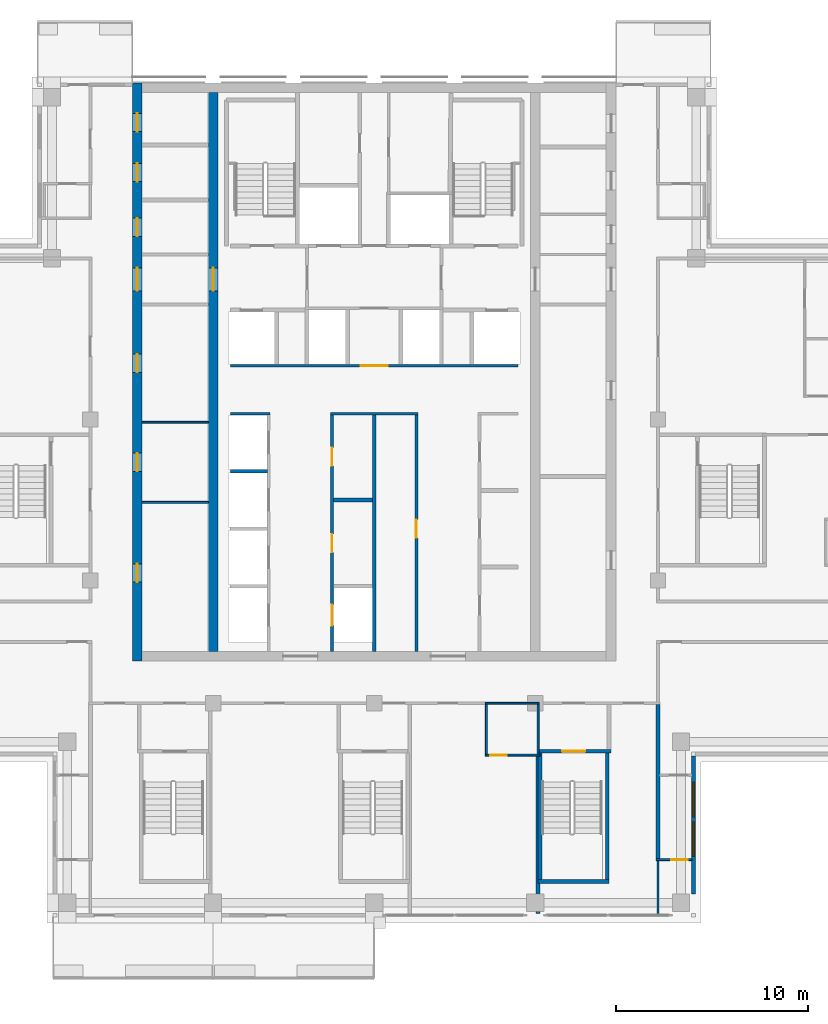
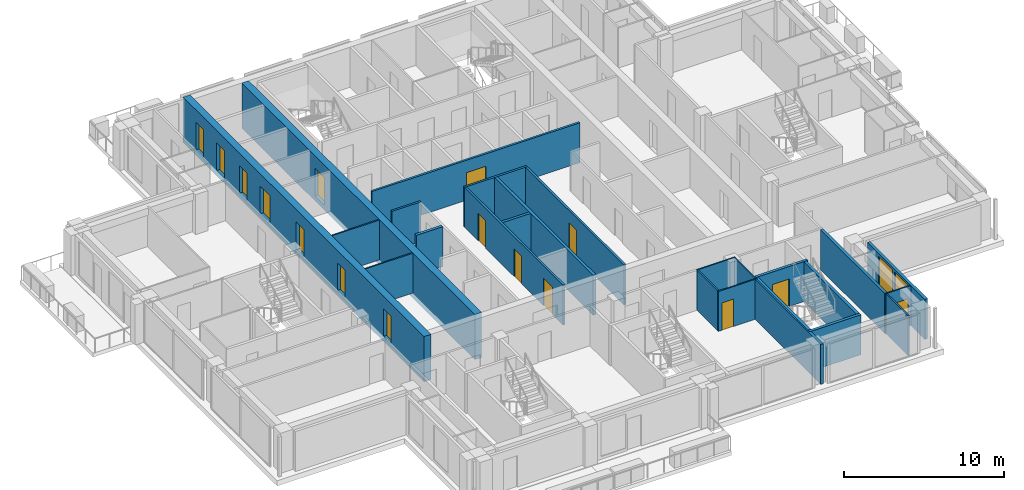
# One storey, part 8 of 15: 25 walls, 16 doors, 2 windows, 18 openings.
"""IFC4 building model written with IfcOpenShell, lengths in metres."""

from ifc_helpers import new_model, si_unit, direction, frame, frame_2d, origin, place, context, subcontext, project, spatial, rectangle, extrude, material, layer, layer_set, type_object, element, fill, save


model = new_model("IFC4")

# Units and contexts
model_context = context("Model", 3, precision=1e-05, world=origin(), true_north=direction((0.0, 1.0)))
body_context = subcontext(model_context, "Body", "Model", "MODEL_VIEW")
ifc_project = project(units=[si_unit("LENGTHUNIT", "METRE"), si_unit("AREAUNIT", "SQUARE_METRE"), si_unit("VOLUMEUNIT", "CUBIC_METRE"), si_unit("PLANEANGLEUNIT", "RADIAN"), si_unit("MASSUNIT", "GRAM", prefix="KILO")], contexts=[model_context])

# Site, building, storey
site_placement = place(None, origin())
site = spatial("IfcSite", under=ifc_project, at=site_placement, CompositionType="ELEMENT")
building_placement = place(site_placement, origin())
building = spatial("IfcBuilding", under=site, at=building_placement, Name="Vermilion Ogive Tower", CompositionType="ELEMENT")
storey_placement = place(building_placement, frame((0.0, 0.0, 237.25)))
storey = spatial("IfcBuildingStorey", under=building, at=storey_placement, Name="L62", CompositionType="ELEMENT", Elevation=237.25)

# Wall, openings, doors
ifc_material_1 = material(Name="Concrete B60", Category="concrete")
ifc_layer_1 = layer(ifc_material_1, 0.5)
ifc_layer_set_1 = layer_set([ifc_layer_1], Name="Core wall 500 B60")
wall_type_1 = type_object("IfcWallType", Name="Core wall 500 B60", PredefinedType="SHEAR", material=ifc_layer_set_1)
wall_1_placement = place(storey_placement, frame((-12.35009765625, -8.39990234375, -0.39990234375), z_axis=(0.0, 0.0, 1.0), x_axis=(0.0, 1.0, 0.0)))
wall_1 = element("IfcWall", 1, at=wall_1_placement, inside=storey, type_object=wall_type_1, Name="L62-CORE-W", PredefinedType="SHEAR", context=body_context, shape_type="SweptSolid", body=[
    extrude(rectangle(XDim=30.14990234375, YDim=0.5, at=frame_2d((15.074951171875, 0.0))), origin(), (0.0, 0.0, 1.0), 3.449951171875),
])
opening_1_placement = place(wall_1_placement, frame((4.112548828125, 0.0, 0.39990234375)))
opening_1 = element("IfcOpeningElement", 2, at=opening_1_placement, cuts=wall_1, Name="Opening DAD105", PredefinedType="OPENING", context=body_context, shape_type="SweptSolid", body=[
    extrude(rectangle(XDim=0.949951171875, YDim=2.10009765625, at=frame_2d((0.47509765625, 1.050048828125))), frame((0.0, 0.260009765625, 0.0), z_axis=(0.0, -1.0, 0.0), x_axis=(1.0, 0.0, 0.0)), (0.0, 0.0, 1.0), 0.52001953125),
])
opening_2_placement = place(wall_1_placement, frame((9.8896484375, 0.0, 0.39990234375)))
opening_2 = element("IfcOpeningElement", 3, at=opening_2_placement, cuts=wall_1, Name="Opening DAD106", PredefinedType="OPENING", context=body_context, shape_type="SweptSolid", body=[
    extrude(rectangle(XDim=0.949951171875, YDim=2.10009765625, at=frame_2d((0.47509765625, 1.050048828125))), frame((0.0, 0.260009765625, 0.0), z_axis=(0.0, -1.0, 0.0), x_axis=(1.0, 0.0, 0.0)), (0.0, 0.0, 1.0), 0.52001953125),
])
opening_3_placement = place(wall_1_placement, frame((15.052001953125, 0.0, 0.39990234375)))
opening_3 = element("IfcOpeningElement", 4, at=opening_3_placement, cuts=wall_1, Name="Opening DAD107", PredefinedType="OPENING", context=body_context, shape_type="SweptSolid", body=[
    extrude(rectangle(XDim=0.949951171875, YDim=2.10009765625, at=frame_2d((0.47509765625, 1.050048828125))), frame((0.0, 0.260009765625, 0.0), z_axis=(0.0, -1.0, 0.0), x_axis=(1.0, 0.0, 0.0)), (0.0, 0.0, 1.0), 0.52001953125),
])
opening_4_placement = place(wall_1_placement, frame((22.1435546875, 0.0, 0.39990234375)))
opening_4 = element("IfcOpeningElement", 5, at=opening_4_placement, cuts=wall_1, Name="Opening DAD108", PredefinedType="OPENING", context=body_context, shape_type="SweptSolid", body=[
    extrude(rectangle(XDim=0.949951171875, YDim=2.10009765625, at=frame_2d((0.47509765625, 1.050048828125))), frame((0.0, 0.260009765625, 0.0), z_axis=(0.0, -1.0, 0.0), x_axis=(1.0, 0.0, 0.0)), (0.0, 0.0, 1.0), 0.52001953125),
])
opening_5_placement = place(wall_1_placement, frame((24.998291015625, 0.0, 0.39990234375)))
opening_5 = element("IfcOpeningElement", 6, at=opening_5_placement, cuts=wall_1, Name="Opening DAD109", PredefinedType="OPENING", context=body_context, shape_type="SweptSolid", body=[
    extrude(rectangle(XDim=0.949951171875, YDim=2.10009765625, at=frame_2d((0.47509765625, 1.050048828125))), frame((0.0, 0.260009765625, 0.0), z_axis=(0.0, -1.0, 0.0), x_axis=(1.0, 0.0, 0.0)), (0.0, 0.0, 1.0), 0.52001953125),
])
opening_6_placement = place(wall_1_placement, frame((27.604736328125, 0.0, 0.39990234375)))
opening_6 = element("IfcOpeningElement", 7, at=opening_6_placement, cuts=wall_1, Name="Opening DAD110", PredefinedType="OPENING", context=body_context, shape_type="SweptSolid", body=[
    extrude(rectangle(XDim=0.949951171875, YDim=2.10009765625, at=frame_2d((0.47509765625, 1.050048828125))), frame((0.0, 0.260009765625, 0.0), z_axis=(0.0, -1.0, 0.0), x_axis=(1.0, 0.0, 0.0)), (0.0, 0.0, 1.0), 0.52001953125),
])
opening_7_placement = place(wall_1_placement, frame((19.300048828125, 0.0, 0.39990234375)))
opening_7 = element("IfcOpeningElement", 8, at=opening_7_placement, cuts=wall_1, Name="Opening DAM025", PredefinedType="OPENING", context=body_context, shape_type="SweptSolid", body=[
    extrude(rectangle(XDim=1.199951171875, YDim=2.10009765625, at=frame_2d((0.60009765625, 1.050048828125))), frame((0.0, 0.260009765625, 0.0), z_axis=(0.0, -1.0, 0.0), x_axis=(1.0, 0.0, 0.0)), (0.0, 0.0, 1.0), 0.52001953125),
])
ifc_material_2 = material(Name="Timber door leaf", Category="wood")
door_type_1 = type_object("IfcDoorType", Name="Link door 1200 x 2100 FD60S", OperationType="SINGLE_SWING_LEFT", PredefinedType="DOOR", material=ifc_material_2)
door_1_placement = place(opening_7_placement, origin())
door_1 = element("IfcDoor", 9, at=door_1_placement, inside=storey, type_object=door_type_1, Name="L62-CKW-XL", OperationType="SINGLE_SWING_LEFT", OverallHeight=2.10009765625, OverallWidth=1.199951171875, PredefinedType="DOOR", context=body_context, shape_type="SweptSolid", body=[
    extrude(rectangle(XDim=1.199951171875, YDim=2.10009765625, at=frame_2d((0.60009765625, 1.050048828125))), frame((0.0, 0.02490234375, 0.0), z_axis=(0.0, -1.0, 0.0), x_axis=(1.0, 0.0, 0.0)), (0.0, 0.0, 1.0), 0.050048828125),
])
fill(opening_7, door_1)
ifc_material_3 = material(Name="Timber door leaf", Category="wood")
door_type_2 = type_object("IfcDoorType", Name="Service door 950 x 2100 FD60", OperationType="SINGLE_SWING_LEFT", PredefinedType="DOOR", material=ifc_material_3)
door_2_placement = place(opening_1_placement, origin())
door_2 = element("IfcDoor", 10, at=door_2_placement, inside=storey, type_object=door_type_2, Name="L62-CKW-XR0", OperationType="SINGLE_SWING_LEFT", OverallHeight=2.10009765625, OverallWidth=0.949951171875, PredefinedType="DOOR", context=body_context, shape_type="SweptSolid", body=[
    extrude(rectangle(XDim=0.949951171875, YDim=2.10009765625, at=frame_2d((0.47509765625, 1.050048828125))), frame((0.0, 0.02490234375, 0.0), z_axis=(0.0, -1.0, 0.0), x_axis=(1.0, 0.0, 0.0)), (0.0, 0.0, 1.0), 0.050048828125),
])
fill(opening_1, door_2)
door_3_placement = place(opening_2_placement, origin())
door_3 = element("IfcDoor", 11, at=door_3_placement, inside=storey, type_object=door_type_2, Name="L62-CKW-XR1", OperationType="SINGLE_SWING_LEFT", OverallHeight=2.10009765625, OverallWidth=0.949951171875, PredefinedType="DOOR", context=body_context, shape_type="SweptSolid", body=[
    extrude(rectangle(XDim=0.949951171875, YDim=2.10009765625, at=frame_2d((0.47509765625, 1.050048828125))), frame((0.0, 0.02490234375, 0.0), z_axis=(0.0, -1.0, 0.0), x_axis=(1.0, 0.0, 0.0)), (0.0, 0.0, 1.0), 0.050048828125),
])
fill(opening_2, door_3)
door_4_placement = place(opening_3_placement, origin())
door_4 = element("IfcDoor", 12, at=door_4_placement, inside=storey, type_object=door_type_2, Name="L62-CKW-XR2", OperationType="SINGLE_SWING_LEFT", OverallHeight=2.10009765625, OverallWidth=0.949951171875, PredefinedType="DOOR", context=body_context, shape_type="SweptSolid", body=[
    extrude(rectangle(XDim=0.949951171875, YDim=2.10009765625, at=frame_2d((0.47509765625, 1.050048828125))), frame((0.0, 0.02490234375, 0.0), z_axis=(0.0, -1.0, 0.0), x_axis=(1.0, 0.0, 0.0)), (0.0, 0.0, 1.0), 0.050048828125),
])
fill(opening_3, door_4)
door_5_placement = place(opening_4_placement, origin())
door_5 = element("IfcDoor", 13, at=door_5_placement, inside=storey, type_object=door_type_2, Name="L62-CKW-XR3", OperationType="SINGLE_SWING_LEFT", OverallHeight=2.10009765625, OverallWidth=0.949951171875, PredefinedType="DOOR", context=body_context, shape_type="SweptSolid", body=[
    extrude(rectangle(XDim=0.949951171875, YDim=2.10009765625, at=frame_2d((0.47509765625, 1.050048828125))), frame((0.0, 0.02490234375, 0.0), z_axis=(0.0, -1.0, 0.0), x_axis=(1.0, 0.0, 0.0)), (0.0, 0.0, 1.0), 0.050048828125),
])
fill(opening_4, door_5)
door_6_placement = place(opening_5_placement, origin())
door_6 = element("IfcDoor", 14, at=door_6_placement, inside=storey, type_object=door_type_2, Name="L62-CKW-XR4", OperationType="SINGLE_SWING_LEFT", OverallHeight=2.10009765625, OverallWidth=0.949951171875, PredefinedType="DOOR", context=body_context, shape_type="SweptSolid", body=[
    extrude(rectangle(XDim=0.949951171875, YDim=2.10009765625, at=frame_2d((0.47509765625, 1.050048828125))), frame((0.0, 0.02490234375, 0.0), z_axis=(0.0, -1.0, 0.0), x_axis=(1.0, 0.0, 0.0)), (0.0, 0.0, 1.0), 0.050048828125),
])
fill(opening_5, door_6)
door_7_placement = place(opening_6_placement, origin())
door_7 = element("IfcDoor", 15, at=door_7_placement, inside=storey, type_object=door_type_2, Name="L62-CKW-XR5", OperationType="SINGLE_SWING_LEFT", OverallHeight=2.10009765625, OverallWidth=0.949951171875, PredefinedType="DOOR", context=body_context, shape_type="SweptSolid", body=[
    extrude(rectangle(XDim=0.949951171875, YDim=2.10009765625, at=frame_2d((0.47509765625, 1.050048828125))), frame((0.0, 0.02490234375, 0.0), z_axis=(0.0, -1.0, 0.0), x_axis=(1.0, 0.0, 0.0)), (0.0, 0.0, 1.0), 0.050048828125),
])
fill(opening_6, door_7)

# Wall, opening, door
wall_2_placement = place(storey_placement, frame((-8.39990234375, -7.89990234375, -0.39990234375), z_axis=(0.0, 0.0, 1.0), x_axis=(0.0, 1.0, 0.0)))
wall_2 = element("IfcWall", 16, at=wall_2_placement, inside=storey, type_object=wall_type_1, Name="L62-CORE-WEB1", PredefinedType="SHEAR", context=body_context, shape_type="SweptSolid", body=[
    extrude(rectangle(XDim=29.14990234375, YDim=0.5, at=frame_2d((14.574951171875, 0.0))), origin(), (0.0, 0.0, 1.0), 3.449951171875),
])
opening_8_placement = place(wall_2_placement, frame((18.800048828125, 0.0, 0.39990234375)))
opening_8 = element("IfcOpeningElement", 17, at=opening_8_placement, cuts=wall_2, Name="Opening DAP020", PredefinedType="OPENING", context=body_context, shape_type="SweptSolid", body=[
    extrude(rectangle(XDim=1.199951171875, YDim=2.10009765625, at=frame_2d((0.60009765625, 1.050048828125))), frame((0.0, 0.260009765625, 0.0), z_axis=(0.0, -1.0, 0.0), x_axis=(1.0, 0.0, 0.0)), (0.0, 0.0, 1.0), 0.52001953125),
])
door_8_placement = place(opening_8_placement, origin())
door_8 = element("IfcDoor", 18, at=door_8_placement, inside=storey, type_object=door_type_1, Name="L62-CKW-XW", OperationType="SINGLE_SWING_LEFT", OverallHeight=2.10009765625, OverallWidth=1.199951171875, PredefinedType="DOOR", context=body_context, shape_type="SweptSolid", body=[
    extrude(rectangle(XDim=1.199951171875, YDim=2.10009765625, at=frame_2d((0.60009765625, 1.050048828125))), frame((0.0, 0.02490234375, 0.0), z_axis=(0.0, -1.0, 0.0), x_axis=(1.0, 0.0, 0.0)), (0.0, 0.0, 1.0), 0.050048828125),
])
fill(opening_8, door_8)

ifc_material_4 = material(Name="Gypsum board partition on steel studs", Category="steel")
ifc_layer_2 = layer(ifc_material_4, 0.10009765625)
ifc_layer_set_2 = layer_set([ifc_layer_2], Name="Partition 100 bath")
wall_type_2 = type_object("IfcWallType", Name="Partition 100 bath", PredefinedType="PARTITIONING", material=ifc_layer_set_2)
wall_3_placement = place(storey_placement, frame((14.699951171875, -18.75, 0.0), z_axis=(0.0, 0.0, 1.0), x_axis=(1.0, 0.0, 0.0)))
wall_3 = element("IfcWall", 19, at=wall_3_placement, inside=storey, type_object=wall_type_2, Name="L62-W-W005", PredefinedType="PARTITIONING", context=body_context, shape_type="SweptSolid", body=[
    extrude(rectangle(XDim=1.85009765625, YDim=0.10009765625, at=frame_2d((0.925048828125, 0.0))), origin(), (0.0, 0.0, 1.0), 3.050048828125),
])
opening_9_placement = place(wall_3_placement, frame((0.800048828125, 0.0, 0.0)))
opening_9 = element("IfcOpeningElement", 20, at=opening_9_placement, cuts=wall_3, Name="Opening D5G2015", PredefinedType="OPENING", context=body_context, shape_type="SweptSolid", body=[
    extrude(rectangle(XDim=0.85009765625, YDim=2.10009765625, at=frame_2d((0.425048828125, 1.050048828125))), frame((0.0, 0.06005859375, 0.0), z_axis=(0.0, -1.0, 0.0), x_axis=(1.0, 0.0, 0.0)), (0.0, 0.0, 1.0), 0.1201171875),
])
ifc_material_5 = material(Name="Timber door leaf", Category="wood")
door_type_3 = type_object("IfcDoorType", Name="Bath door 850 x 2100 FD30", OperationType="SINGLE_SWING_LEFT", PredefinedType="DOOR", material=ifc_material_5)
door_9_placement = place(opening_9_placement, origin())
door_9 = element("IfcDoor", 21, at=door_9_placement, inside=storey, type_object=door_type_3, Name="L62-D-D015", OperationType="SINGLE_SWING_RIGHT", OverallHeight=2.10009765625, OverallWidth=0.85009765625, PredefinedType="DOOR", context=body_context, shape_type="SweptSolid", body=[
    extrude(rectangle(XDim=0.85009765625, YDim=2.10009765625, at=frame_2d((0.425048828125, 1.050048828125))), frame((0.0, 0.02490234375, 0.0), z_axis=(0.0, -1.0, 0.0), x_axis=(1.0, 0.0, 0.0)), (0.0, 0.0, 1.0), 0.050048828125),
])
fill(opening_9, door_9)

wall_4_placement = place(storey_placement, frame((5.800048828125, -13.300048828125, 0.0), z_axis=(0.0, 0.0, 1.0), x_axis=(1.0, 0.0, 0.0)))
wall_4 = element("IfcWall", 22, at=wall_4_placement, inside=storey, type_object=wall_type_2, Name="L62-W-W008", PredefinedType="PARTITIONING", context=body_context, shape_type="SweptSolid", body=[
    extrude(rectangle(XDim=2.849853515625, YDim=0.10009765625, at=frame_2d((1.4248046875, 0.0))), origin(), (0.0, 0.0, 1.0), 3.050048828125),
])
opening_10_placement = place(wall_4_placement, frame((0.25, 0.0, 0.0)))
opening_10 = element("IfcOpeningElement", 23, at=opening_10_placement, cuts=wall_4, Name="Opening D5G2012", PredefinedType="OPENING", context=body_context, shape_type="SweptSolid", body=[
    extrude(rectangle(XDim=0.85009765625, YDim=2.10009765625, at=frame_2d((0.425048828125, 1.050048828125))), frame((0.0, 0.06005859375, 0.0), z_axis=(0.0, -1.0, 0.0), x_axis=(1.0, 0.0, 0.0)), (0.0, 0.0, 1.0), 0.1201171875),
])
door_10_placement = place(opening_10_placement, origin())
door_10 = element("IfcDoor", 24, at=door_10_placement, inside=storey, type_object=door_type_3, Name="L62-D-D012", OperationType="SINGLE_SWING_LEFT", OverallHeight=2.10009765625, OverallWidth=0.85009765625, PredefinedType="DOOR", context=body_context, shape_type="SweptSolid", body=[
    extrude(rectangle(XDim=0.85009765625, YDim=2.10009765625, at=frame_2d((0.425048828125, 1.050048828125))), frame((0.0, 0.02490234375, 0.0), z_axis=(0.0, -1.0, 0.0), x_axis=(1.0, 0.0, 0.0)), (0.0, 0.0, 1.0), 0.050048828125),
])
fill(opening_10, door_10)

# Walls
wall_5_placement = place(storey_placement, frame((5.800048828125, -10.60009765625, 0.0), z_axis=(0.0, 0.0, 1.0), x_axis=(1.0, 0.0, 0.0)))
element("IfcWall", 25, at=wall_5_placement, inside=storey, type_object=wall_type_2, Name="L62-W-W013", PredefinedType="PARTITIONING", context=body_context, shape_type="SweptSolid", body=[
    extrude(rectangle(XDim=2.800048828125, YDim=0.10009765625, at=frame_2d((1.39990234375, 0.0))), origin(), (0.0, 0.0, 1.0), 3.050048828125),
])
for number, where, z_axis, x_axis, name in (
    (26, (5.85009765625, -13.25, 0.0), (0.0, 0.0, 1.0), (0.0, 1.0, 0.0), "L62-W-W060"),
    (27, (8.550048828125, -13.25, 0.0), (0.0, 0.0, 1.0), (0.0, 1.0, 0.0), "L62-W-W062"),
):
    element("IfcWall", number, at=place(storey_placement, frame(where, z_axis=z_axis, x_axis=x_axis)), inside=storey, type_object=wall_type_2, Name=name, PredefinedType="PARTITIONING", context=body_context, shape_type="SweptSolid", body=[
        extrude(rectangle(XDim=2.574951171875, YDim=0.10009765625, at=frame_2d((1.28759765625, 0.0))), origin(), (0.0, 0.0, 1.0), 3.050048828125),
    ])
wall_6_placement = place(storey_placement, frame((14.800048828125, -21.550048828125, 0.0), z_axis=(0.0, 0.0, 1.0), x_axis=(0.0, 1.0, 0.0)))
element("IfcWall", 28, at=wall_6_placement, inside=storey, type_object=wall_type_2, Name="L62-W-W066", PredefinedType="PARTITIONING", context=body_context, shape_type="SweptSolid", body=[
    extrude(rectangle(XDim=2.75, YDim=0.10009765625, at=frame_2d((1.375, 0.0))), origin(), (0.0, 0.0, 1.0), 3.050048828125),
])
for number, where, z_axis, x_axis, name in (
    (29, (-12.09912109375, -0.125, 0.0), (0.0, 0.0, 1.0), (1.0, 0.0, 0.0), "L62-CKW-W-W001"),
    (30, (-12.09912109375, 4.053955078125, 0.0), (0.0, 0.0, 1.0), (1.0, 0.0, 0.0), "L62-CKW-W-W002"),
):
    element("IfcWall", number, at=place(storey_placement, frame(where, z_axis=z_axis, x_axis=x_axis)), inside=storey, type_object=wall_type_2, Name=name, PredefinedType="PARTITIONING", context=body_context, shape_type="SweptSolid", body=[
        extrude(rectangle(XDim=3.4482421875, YDim=0.10009765625, at=frame_2d((1.72412109375, 0.0))), origin(), (0.0, 0.0, 1.0), 3.050048828125),
    ])
ifc_material_6 = material(Name="Gypsum board partition on steel studs", Category="steel")
ifc_layer_3 = layer(ifc_material_6, 0.14990234375)
ifc_layer_set_3 = layer_set([ifc_layer_3], Name="Partition 150 corridor")
wall_type_3 = type_object("IfcWallType", Name="Partition 150 corridor", PredefinedType="PARTITIONING", material=ifc_layer_set_3)
wall_7_placement = place(storey_placement, frame((-7.5, 4.5, 0.0), z_axis=(0.0, 0.0, 1.0), x_axis=(1.0, 0.0, 0.0)))
element("IfcWall", 31, at=wall_7_placement, inside=storey, type_object=wall_type_3, Name="L62-CK-W-W008", PredefinedType="PARTITIONING", context=body_context, shape_type="SweptSolid", body=[
    extrude(rectangle(XDim=2.074951171875, YDim=0.14990234375, at=frame_2d((1.03759765625, 0.0))), origin(), (0.0, 0.0, 1.0), 3.050048828125),
])
wall_8_placement = place(storey_placement, frame((-2.27490234375, 4.5, 0.0), z_axis=(0.0, 0.0, 1.0), x_axis=(1.0, 0.0, 0.0)))
element("IfcWall", 32, at=wall_8_placement, inside=storey, type_object=wall_type_3, Name="L62-CK-W-W009", PredefinedType="PARTITIONING", context=body_context, shape_type="SweptSolid", body=[
    extrude(rectangle(XDim=4.5498046875, YDim=0.14990234375, at=frame_2d((2.27490234375, 0.0))), origin(), (0.0, 0.0, 1.0), 3.050048828125),
])

# Wall, opening, door
wall_9_placement = place(storey_placement, frame((-7.5, 7.0, 0.0), z_axis=(0.0, 0.0, 1.0), x_axis=(1.0, 0.0, 0.0)))
wall_9 = element("IfcWall", 33, at=wall_9_placement, inside=storey, type_object=wall_type_3, Name="L62-CK-W-W011", PredefinedType="PARTITIONING", context=body_context, shape_type="SweptSolid", body=[
    extrude(rectangle(XDim=15.0, YDim=0.14990234375, at=frame_2d((7.5, 0.0))), origin(), (0.0, 0.0, 1.0), 3.050048828125),
])
opening_11_placement = place(wall_9_placement, frame((6.800048828125, 0.0, 0.0)))
opening_11 = element("IfcOpeningElement", 34, at=opening_11_placement, cuts=wall_9, Name="Opening DAA563", PredefinedType="OPENING", context=body_context, shape_type="SweptSolid", body=[
    extrude(rectangle(XDim=1.39990234375, YDim=2.10009765625, at=frame_2d((0.699951171875, 1.050048828125))), frame((0.0, 0.0849609375, 0.0), z_axis=(0.0, -1.0, 0.0), x_axis=(1.0, 0.0, 0.0)), (0.0, 0.0, 1.0), 0.169921875),
])
ifc_material_7 = material(Name="Timber door leaf", Category="wood")
door_type_4 = type_object("IfcDoorType", Name="Lobby door 1400 x 2100 FD60S", OperationType="SINGLE_SWING_LEFT", PredefinedType="DOOR", material=ifc_material_7)
door_11_placement = place(opening_11_placement, origin())
door_11 = element("IfcDoor", 35, at=door_11_placement, inside=storey, type_object=door_type_4, Name="L62-CK-D-D016", OperationType="SINGLE_SWING_RIGHT", OverallHeight=2.10009765625, OverallWidth=1.39990234375, PredefinedType="DOOR", context=body_context, shape_type="SweptSolid", body=[
    extrude(rectangle(XDim=1.39990234375, YDim=2.10009765625, at=frame_2d((0.699951171875, 1.050048828125))), frame((0.0, 0.02490234375, 0.0), z_axis=(0.0, -1.0, 0.0), x_axis=(1.0, 0.0, 0.0)), (0.0, 0.0, 1.0), 0.050048828125),
])
fill(opening_11, door_11)

# Wall, openings, doors
wall_10_placement = place(storey_placement, frame((-2.199951171875, -7.89892578125, 0.0), z_axis=(0.0, 0.0, 1.0), x_axis=(0.0, 1.0, 0.0)))
wall_10 = element("IfcWall", 36, at=wall_10_placement, inside=storey, type_object=wall_type_3, Name="L62-CK-W-W025", PredefinedType="PARTITIONING", context=body_context, shape_type="SweptSolid", body=[
    extrude(rectangle(XDim=12.323974609375, YDim=0.14990234375, at=frame_2d((6.162109375, 0.0))), origin(), (0.0, 0.0, 1.0), 3.050048828125),
])
opening_12_placement = place(wall_10_placement, frame((1.348876953125, 0.0, 0.0)))
opening_12 = element("IfcOpeningElement", 37, at=opening_12_placement, cuts=wall_10, Name="Opening DAA580", PredefinedType="OPENING", context=body_context, shape_type="SweptSolid", body=[
    extrude(rectangle(XDim=1.10009765625, YDim=2.10009765625, at=frame_2d((0.550048828125, 1.050048828125))), frame((0.0, 0.0849609375, 0.0), z_axis=(0.0, -1.0, 0.0), x_axis=(1.0, 0.0, 0.0)), (0.0, 0.0, 1.0), 0.169921875),
])
opening_13_placement = place(wall_10_placement, frame((5.173828125, 0.0, 0.0)))
opening_13 = element("IfcOpeningElement", 38, at=opening_13_placement, cuts=wall_10, Name="Opening DAA566", PredefinedType="OPENING", context=body_context, shape_type="SweptSolid", body=[
    extrude(rectangle(XDim=0.949951171875, YDim=2.10009765625, at=frame_2d((0.47509765625, 1.050048828125))), frame((0.0, 0.0849609375, 0.0), z_axis=(0.0, -1.0, 0.0), x_axis=(1.0, 0.0, 0.0)), (0.0, 0.0, 1.0), 0.169921875),
])
opening_14_placement = place(wall_10_placement, frame((9.673828125, 0.0, 0.0)))
opening_14 = element("IfcOpeningElement", 39, at=opening_14_placement, cuts=wall_10, Name="Opening DAA567", PredefinedType="OPENING", context=body_context, shape_type="SweptSolid", body=[
    extrude(rectangle(XDim=0.949951171875, YDim=2.10009765625, at=frame_2d((0.47509765625, 1.050048828125))), frame((0.0, 0.0849609375, 0.0), z_axis=(0.0, -1.0, 0.0), x_axis=(1.0, 0.0, 0.0)), (0.0, 0.0, 1.0), 0.169921875),
])
ifc_material_8 = material(Name="Stainless steel", Category="steel")
door_type_5 = type_object("IfcDoorType", Name="Lift landing door 1100 x 2100", OperationType="SLIDING_TO_LEFT", PredefinedType="DOOR", material=ifc_material_8)
door_12_placement = place(opening_12_placement, origin())
door_12 = element("IfcDoor", 40, at=door_12_placement, inside=storey, type_object=door_type_5, Name="L62-CK-D-D005", OperationType="SLIDING_TO_LEFT", OverallHeight=2.10009765625, OverallWidth=1.10009765625, PredefinedType="DOOR", context=body_context, shape_type="SweptSolid", body=[
    extrude(rectangle(XDim=1.10009765625, YDim=2.10009765625, at=frame_2d((0.550048828125, 1.050048828125))), frame((0.0, 0.02490234375, 0.0), z_axis=(0.0, -1.0, 0.0), x_axis=(1.0, 0.0, 0.0)), (0.0, 0.0, 1.0), 0.050048828125),
])
fill(opening_12, door_12)
door_13_placement = place(opening_13_placement, origin())
door_13 = element("IfcDoor", 41, at=door_13_placement, inside=storey, type_object=door_type_2, Name="L62-CK-D-D006", OperationType="SINGLE_SWING_LEFT", OverallHeight=2.10009765625, OverallWidth=0.949951171875, PredefinedType="DOOR", context=body_context, shape_type="SweptSolid", body=[
    extrude(rectangle(XDim=0.949951171875, YDim=2.10009765625, at=frame_2d((0.47509765625, 1.050048828125))), frame((0.0, 0.02490234375, 0.0), z_axis=(0.0, -1.0, 0.0), x_axis=(1.0, 0.0, 0.0)), (0.0, 0.0, 1.0), 0.050048828125),
])
fill(opening_13, door_13)
door_14_placement = place(opening_14_placement, origin())
door_14 = element("IfcDoor", 42, at=door_14_placement, inside=storey, type_object=door_type_2, Name="L62-CK-D-D007", OperationType="SINGLE_SWING_RIGHT", OverallHeight=2.10009765625, OverallWidth=0.949951171875, PredefinedType="DOOR", context=body_context, shape_type="SweptSolid", body=[
    extrude(rectangle(XDim=0.949951171875, YDim=2.10009765625, at=frame_2d((0.47509765625, 1.050048828125))), frame((0.0, 0.02490234375, 0.0), z_axis=(0.0, -1.0, 0.0), x_axis=(1.0, 0.0, 0.0)), (0.0, 0.0, 1.0), 0.050048828125),
])
fill(opening_14, door_14)

# Wall, opening, door
wall_11_placement = place(storey_placement, frame((2.199951171875, -7.89892578125, 0.0), z_axis=(0.0, 0.0, 1.0), x_axis=(0.0, 1.0, 0.0)))
wall_11 = element("IfcWall", 43, at=wall_11_placement, inside=storey, type_object=wall_type_3, Name="L62-CK-W-W032", PredefinedType="PARTITIONING", context=body_context, shape_type="SweptSolid", body=[
    extrude(rectangle(XDim=12.323974609375, YDim=0.14990234375, at=frame_2d((6.162109375, 0.0))), origin(), (0.0, 0.0, 1.0), 3.050048828125),
])
opening_15_placement = place(wall_11_placement, frame((5.923828125, 0.0, 0.0)))
opening_15 = element("IfcOpeningElement", 44, at=opening_15_placement, cuts=wall_11, Name="Opening DAA568", PredefinedType="OPENING", context=body_context, shape_type="SweptSolid", body=[
    extrude(rectangle(XDim=0.949951171875, YDim=2.10009765625, at=frame_2d((0.47509765625, 1.050048828125))), frame((0.0, 0.0849609375, 0.0), z_axis=(0.0, -1.0, 0.0), x_axis=(1.0, 0.0, 0.0)), (0.0, 0.0, 1.0), 0.169921875),
])
door_15_placement = place(opening_15_placement, origin())
door_15 = element("IfcDoor", 45, at=door_15_placement, inside=storey, type_object=door_type_2, Name="L62-CK-D-D008", OperationType="SINGLE_SWING_RIGHT", OverallHeight=2.10009765625, OverallWidth=0.949951171875, PredefinedType="DOOR", context=body_context, shape_type="SweptSolid", body=[
    extrude(rectangle(XDim=0.949951171875, YDim=2.10009765625, at=frame_2d((0.47509765625, 1.050048828125))), frame((0.0, 0.02490234375, 0.0), z_axis=(0.0, -1.0, 0.0), x_axis=(1.0, 0.0, 0.0)), (0.0, 0.0, 1.0), 0.050048828125),
])
fill(opening_15, door_15)

# Walls
ifc_material_9 = material(Name="Gypsum board partition on steel studs", Category="steel")
ifc_layer_4 = layer(ifc_material_9, 0.199951171875)
ifc_layer_set_4 = layer_set([ifc_layer_4], Name="Partition 200 party")
wall_type_4 = type_object("IfcWallType", Name="Partition 200 party", PredefinedType="PARTITIONING", material=ifc_layer_set_4)
wall_12_placement = place(storey_placement, frame((14.800048828125, -18.699951171875, 0.0), z_axis=(0.0, 0.0, 1.0), x_axis=(0.0, 1.0, 0.0)))
element("IfcWall", 46, at=wall_12_placement, inside=storey, type_object=wall_type_4, Name="L62-W-W067", PredefinedType="PARTITIONING", context=body_context, shape_type="SweptSolid", body=[
    extrude(rectangle(XDim=8.02490234375, YDim=0.199951171875, at=frame_2d((4.012451171875, 0.0))), origin(), (0.0, 0.0, 1.0), 3.050048828125),
])
wall_13_placement = place(storey_placement, frame((-2.125, 0.0, 0.0), z_axis=(0.0, 0.0, 1.0), x_axis=(1.0, 0.0, 0.0)))
element("IfcWall", 47, at=wall_13_placement, inside=storey, type_object=wall_type_4, Name="L62-CK-W-W005", PredefinedType="PARTITIONING", context=body_context, shape_type="SweptSolid", body=[
    extrude(rectangle(XDim=2.02490234375, YDim=0.199951171875, at=frame_2d((1.012451171875, 0.0))), origin(), (0.0, 0.0, 1.0), 3.050048828125),
])
wall_14_placement = place(storey_placement, frame((-7.5, 1.5, 0.0), z_axis=(0.0, 0.0, 1.0), x_axis=(1.0, 0.0, 0.0)))
element("IfcWall", 48, at=wall_14_placement, inside=storey, type_object=wall_type_4, Name="L62-CK-W-W007", PredefinedType="PARTITIONING", context=body_context, shape_type="SweptSolid", body=[
    extrude(rectangle(XDim=1.925048828125, YDim=0.199951171875, at=frame_2d((0.96240234375, 0.0))), origin(), (0.0, 0.0, 1.0), 3.050048828125),
])
wall_15_placement = place(storey_placement, frame((0.0, -7.89892578125, 0.0), z_axis=(0.0, 0.0, 1.0), x_axis=(0.0, 1.0, 0.0)))
element("IfcWall", 49, at=wall_15_placement, inside=storey, type_object=wall_type_4, Name="L62-CK-W-W028", PredefinedType="PARTITIONING", context=body_context, shape_type="SweptSolid", body=[
    extrude(rectangle(XDim=12.323974609375, YDim=0.199951171875, at=frame_2d((6.162109375, 0.0))), origin(), (0.0, 0.0, 1.0), 3.050048828125),
])
ifc_material_10 = material(Name="Concrete B60", Category="concrete")
ifc_layer_5 = layer(ifc_material_10, 0.199951171875)
ifc_layer_set_5 = layer_set([ifc_layer_5], Name="Stair shaft wall 200 Concrete B60")
wall_type_5 = type_object("IfcWallType", Name="Stair shaft wall 200 Concrete B60", PredefinedType="SOLIDWALL", material=ifc_layer_set_5)
wall_16_placement = place(storey_placement, frame((8.552001953125, -19.89990234375, 0.0), z_axis=(0.0, 0.0, 1.0), x_axis=(1.0, 0.0, 0.0)))
element("IfcWall", 50, at=wall_16_placement, inside=storey, type_object=wall_type_5, Name="L62-W-W003", PredefinedType="SOLIDWALL", context=body_context, shape_type="SweptSolid", body=[
    extrude(rectangle(XDim=3.696044921875, YDim=0.199951171875, at=frame_2d((1.84814453125, 0.0))), origin(), (0.0, 0.0, 1.0), 3.050048828125),
])

# Wall, opening, door
wall_17_placement = place(storey_placement, frame((8.60205078125, -13.10009765625, 0.0), z_axis=(0.0, 0.0, 1.0), x_axis=(1.0, 0.0, 0.0)))
wall_17 = element("IfcWall", 51, at=wall_17_placement, inside=storey, type_object=wall_type_5, Name="L62-W-W011", PredefinedType="SOLIDWALL", context=body_context, shape_type="SweptSolid", body=[
    extrude(rectangle(XDim=3.745849609375, YDim=0.199951171875, at=frame_2d((1.873046875, 0.0))), origin(), (0.0, 0.0, 1.0), 3.050048828125),
])
opening_16_placement = place(wall_17_placement, frame((1.197998046875, 0.0, 0.0)))
opening_16 = element("IfcOpeningElement", 52, at=opening_16_placement, cuts=wall_17, Name="Opening D5G2028", PredefinedType="OPENING", context=body_context, shape_type="SweptSolid", body=[
    extrude(rectangle(XDim=1.199951171875, YDim=2.10009765625, at=frame_2d((0.60009765625, 1.050048828125))), frame((0.0, 0.10986328125, 0.0), z_axis=(0.0, -1.0, 0.0), x_axis=(1.0, 0.0, 0.0)), (0.0, 0.0, 1.0), 0.219970703125),
])
ifc_material_11 = material(Name="Timber door leaf", Category="wood")
door_type_6 = type_object("IfcDoorType", Name="Stair door 1200 x 2100 FD60S", OperationType="SINGLE_SWING_LEFT", PredefinedType="DOOR", material=ifc_material_11)
door_16_placement = place(opening_16_placement, origin())
door_16 = element("IfcDoor", 53, at=door_16_placement, inside=storey, type_object=door_type_6, Name="L62-D-D028", OperationType="SINGLE_SWING_RIGHT", OverallHeight=2.10009765625, OverallWidth=1.199951171875, PredefinedType="DOOR", context=body_context, shape_type="SweptSolid", body=[
    extrude(rectangle(XDim=1.199951171875, YDim=2.10009765625, at=frame_2d((0.60009765625, 1.050048828125))), frame((0.0, 0.02490234375, 0.0), z_axis=(0.0, -1.0, 0.0), x_axis=(1.0, 0.0, 0.0)), (0.0, 0.0, 1.0), 0.050048828125),
])
fill(opening_16, door_16)

# Walls
for number, where, z_axis, x_axis, name in (
    (54, (8.64990234375, -19.798095703125, 0.0), (0.0, 0.0, 1.0), (0.0, 1.0, 0.0), "L62-W-W063"),
    (55, (12.14990234375, -19.798095703125, 0.0), (0.0, 0.0, 1.0), (0.0, 1.0, 0.0), "L62-W-W064"),
):
    element("IfcWall", number, at=place(storey_placement, frame(where, z_axis=z_axis, x_axis=x_axis)), inside=storey, type_object=wall_type_5, Name=name, PredefinedType="SOLIDWALL", context=body_context, shape_type="SweptSolid", body=[
        extrude(rectangle(XDim=6.59619140625, YDim=0.199951171875, at=frame_2d((3.298095703125, 0.0))), origin(), (0.0, 0.0, 1.0), 3.050048828125),
    ])
wall_18_placement = place(storey_placement, frame((8.550048828125, -21.550048828125, 0.0), z_axis=(0.0, 0.0, 1.0), x_axis=(0.0, 1.0, 0.0)))
element("IfcWall", 56, at=wall_18_placement, inside=storey, type_object=wall_type_5, Name="L62-W-W061-A", PredefinedType="SOLIDWALL", context=body_context, shape_type="SweptSolid", body=[
    extrude(rectangle(XDim=8.199951171875, YDim=0.199951171875, at=frame_2d((4.10009765625, 0.0))), origin(), (0.0, 0.0, 1.0), 3.050048828125),
])

# Wall, openings, windows
ifc_material_12 = material(Name="Aluminium window wall framing", Category="aluminium")
ifc_layer_6 = layer(ifc_material_12, 0.199951171875)
ifc_layer_set_6 = layer_set([ifc_layer_6], Name="Window wall")
wall_type_6 = type_object("IfcWallType", Name="Window wall", PredefinedType="STANDARD", material=ifc_layer_set_6)
wall_19_placement = place(storey_placement, frame((16.64990234375, -20.550048828125, 0.0), z_axis=(0.0, 0.0, 1.0), x_axis=(0.0, 1.0, 0.0)))
wall_19 = element("IfcWall", 57, at=wall_19_placement, inside=storey, type_object=wall_type_6, Name="Window wall X11", PredefinedType="STANDARD", context=body_context, shape_type="SweptSolid", body=[
    extrude(rectangle(XDim=7.199951171875, YDim=0.199951171875, at=frame_2d((3.60009765625, 0.0))), origin(), (0.0, 0.0, 1.0), 3.050048828125),
])
opening_17_placement = place(wall_19_placement, frame((1.969970703125, 0.0, 0.199951171875)))
opening_17 = element("IfcOpeningElement", 58, at=opening_17_placement, cuts=wall_19, Name="Opening W1-X195", PredefinedType="OPENING", context=body_context, shape_type="SweptSolid", body=[
    extrude(rectangle(XDim=1.800048828125, YDim=2.64990234375, at=frame_2d((0.89990234375, 1.324951171875))), frame((0.0, 0.10986328125, 0.0), z_axis=(0.0, -1.0, 0.0), x_axis=(1.0, 0.0, 0.0)), (0.0, 0.0, 1.0), 0.219970703125),
])
opening_18_placement = place(wall_19_placement, frame((4.02490234375, 0.0, 0.199951171875)))
opening_18 = element("IfcOpeningElement", 59, at=opening_18_placement, cuts=wall_19, Name="Opening W1-X196", PredefinedType="OPENING", context=body_context, shape_type="SweptSolid", body=[
    extrude(rectangle(XDim=1.800048828125, YDim=2.64990234375, at=frame_2d((0.89990234375, 1.324951171875))), frame((0.0, 0.10986328125, 0.0), z_axis=(0.0, -1.0, 0.0), x_axis=(1.0, 0.0, 0.0)), (0.0, 0.0, 1.0), 0.219970703125),
])
ifc_material_13 = material(Name="Aluminium framed double glazing", Category="aluminium")
window_type = type_object("IfcWindowType", Name="Guest window W1", PartitioningType="SINGLE_PANEL", PredefinedType="WINDOW", material=ifc_material_13)
window_1_placement = place(opening_17_placement, origin())
window_1 = element("IfcWindow", 60, at=window_1_placement, inside=storey, type_object=window_type, Name="Window X195", OverallHeight=2.64990234375, OverallWidth=1.800048828125, PartitioningType="SINGLE_PANEL", PredefinedType="WINDOW", context=body_context, shape_type="SweptSolid", body=[
    extrude(rectangle(XDim=1.800048828125, YDim=2.64990234375, at=frame_2d((0.89990234375, 1.324951171875))), frame((0.0, 0.030029296875, 0.0), z_axis=(0.0, -1.0, 0.0), x_axis=(1.0, 0.0, 0.0)), (0.0, 0.0, 1.0), 0.06005859375),
])
fill(opening_17, window_1)
window_2_placement = place(opening_18_placement, origin())
window_2 = element("IfcWindow", 61, at=window_2_placement, inside=storey, type_object=window_type, Name="Window X196", OverallHeight=2.64990234375, OverallWidth=1.800048828125, PartitioningType="SINGLE_PANEL", PredefinedType="WINDOW", context=body_context, shape_type="SweptSolid", body=[
    extrude(rectangle(XDim=1.800048828125, YDim=2.64990234375, at=frame_2d((0.89990234375, 1.324951171875))), frame((0.0, 0.030029296875, 0.0), z_axis=(0.0, -1.0, 0.0), x_axis=(1.0, 0.0, 0.0)), (0.0, 0.0, 1.0), 0.06005859375),
])
fill(opening_18, window_2)

save(model, "model.ifc")
